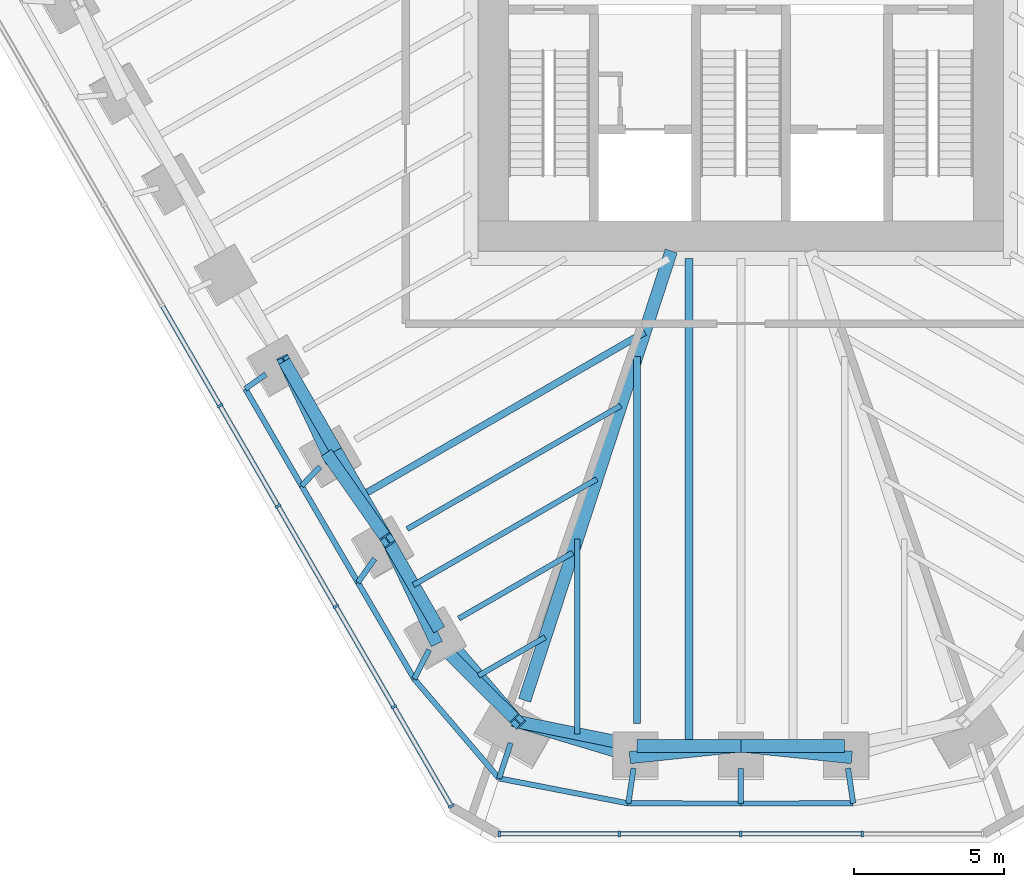
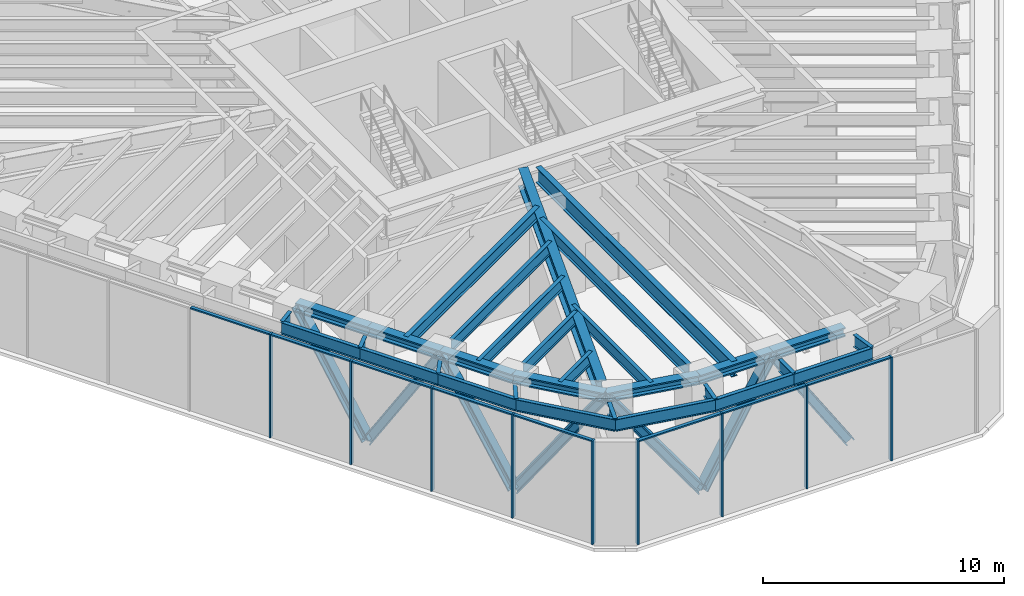
# One storey, part 2 of 13: 31 beams, 24 members, 2 elements without a shape of their own.
"""IFC4 building model written with IfcOpenShell, lengths in metres."""

from ifc_helpers import new_model, si_unit, direction, frame, origin, origin_2d, place, context, subcontext, project, spatial, rectangle, i_section, extrude, material, material_profile, profile_set, type_object, element, aggregate, save


model = new_model("IFC4")

# Units and contexts
model_context = context("Model", 3, precision=1e-05, world=origin(), true_north=direction((0.0, 1.0)))
body_context = subcontext(model_context, "Body", "Model", "MODEL_VIEW")
ifc_project = project(units=[si_unit("LENGTHUNIT", "METRE"), si_unit("AREAUNIT", "SQUARE_METRE"), si_unit("VOLUMEUNIT", "CUBIC_METRE"), si_unit("PLANEANGLEUNIT", "RADIAN"), si_unit("MASSUNIT", "GRAM", prefix="KILO")], contexts=[model_context])

# Site, building, storey
site_placement = place(None, origin())
site = spatial("IfcSite", under=ifc_project, at=site_placement, CompositionType="ELEMENT")
building_placement = place(site_placement, origin())
building = spatial("IfcBuilding", under=site, at=building_placement, Name="Sandreach Pilgrim Tower", CompositionType="ELEMENT")
storey_placement = place(building_placement, frame((0.0, 0.0, 251.60009765625)))
storey = spatial("IfcBuildingStorey", under=building, at=storey_placement, Name="L63", CompositionType="ELEMENT", Elevation=251.60009765625)

# Beams
ifc_material_1 = material(Name="Steel ASTM A913 Grade 65", Category="steel")
ifc_material_profile_1 = material_profile(ifc_material_1, i_section(OverallWidth=0.419189453125, OverallDepth=0.45458984375, WebThickness=0.042236328125, FlangeThickness=0.067626953125, at=origin_2d()), Name="W14X370")
ifc_profile_set_1 = profile_set([ifc_material_profile_1], Name="Steel ASTM A913 Grade 65")
beam_type_1 = type_object("IfcBeamType", Name="Belt truss chord W14X370", PredefinedType="BEAM", material=ifc_profile_set_1)
for number, where, z_axis, x_axis, name in (
    (1, (3.465576171875, -23.59814453125, 5.012451171875), (-1.0, 0.0, 0.0), (0.0, -1.0, 0.0), "BM L63 BTT23"),
    (2, (0.0, -23.59814453125, 5.012451171875), (-1.0, 0.0, 0.0), (0.0, -1.0, 0.0), "BM L63 BTT24"),
):
    element("IfcBeam", number, at=place(storey_placement, frame(where, z_axis=z_axis, x_axis=x_axis)), inside=storey, type_object=beam_type_1, Name=name, PredefinedType="BEAM", context=body_context, shape_type="SweptSolid", body=[
        extrude(i_section(OverallWidth=0.419189453125, OverallDepth=0.45458984375, WebThickness=0.042236328125, FlangeThickness=0.067626953125, at=origin_2d()), origin(), (0.0, 0.0, 1.0), 3.465576171875),
    ])
beam_1_placement = place(storey_placement, frame((-3.465576171875, -23.59814453125, 5.012451171875), z_axis=(-0.979917524616, 0.199403222016, 0.0), x_axis=(-0.199403222016, -0.979917524616, 0.0)))
element("IfcBeam", 3, at=beam_1_placement, inside=storey, type_object=beam_type_1, Name="BM L63 BTT25", PredefinedType="BEAM", context=body_context, shape_type="SweptSolid", body=[
    extrude(i_section(OverallWidth=0.419189453125, OverallDepth=0.45458984375, WebThickness=0.042236328125, FlangeThickness=0.067626953125, at=origin_2d()), origin(), (0.0, 0.0, 1.0), 4.05517578125),
])
beam_2_placement = place(storey_placement, frame((-7.439208984375, -22.78955078125, 5.012451171875), z_axis=(-0.648586192707, 0.761141215958, 0.0), x_axis=(-0.761141215958, -0.648586192707, 0.0)))
element("IfcBeam", 4, at=beam_2_placement, inside=storey, type_object=beam_type_1, Name="BM L63 BTT26", PredefinedType="BEAM", context=body_context, shape_type="SweptSolid", body=[
    extrude(i_section(OverallWidth=0.419189453125, OverallDepth=0.45458984375, WebThickness=0.042236328125, FlangeThickness=0.067626953125, at=origin_2d()), origin(), (0.0, 0.0, 1.0), 4.02587890625),
])
for number, where, z_axis, x_axis, name in (
    (5, (-10.05029296875, -19.725341796875, 5.012451171875), (-0.499988291006, 0.866032163869, 0.0), (-0.866032163869, -0.499988291006, 0.0), "BM L63 BTT27"),
    (6, (-11.772705078125, -16.741943359375, 5.012451171875), (-0.499988291006, 0.866032163869, 0.0), (-0.866032163869, -0.499988291006, 0.0), "BM L63 BTT28"),
):
    element("IfcBeam", number, at=place(storey_placement, frame(where, z_axis=z_axis, x_axis=x_axis)), inside=storey, type_object=beam_type_1, Name=name, PredefinedType="BEAM", context=body_context, shape_type="SweptSolid", body=[
        extrude(i_section(OverallWidth=0.419189453125, OverallDepth=0.45458984375, WebThickness=0.042236328125, FlangeThickness=0.067626953125, at=origin_2d()), origin(), (0.0, 0.0, 1.0), 3.44482421875),
    ])
beam_3_placement = place(storey_placement, frame((-13.4951171875, -13.758544921875, 5.012451171875), z_axis=(-0.500010754882, 0.866019194361, 0.0), x_axis=(-0.866019194361, -0.500010754882, 0.0)))
element("IfcBeam", 7, at=beam_3_placement, inside=storey, type_object=beam_type_1, Name="BM L63 BTT29", PredefinedType="BEAM", context=body_context, shape_type="SweptSolid", body=[
    extrude(i_section(OverallWidth=0.419189453125, OverallDepth=0.45458984375, WebThickness=0.042236328125, FlangeThickness=0.067626953125, at=origin_2d()), origin(), (0.0, 0.0, 1.0), 3.4453125),
])

# Members
ifc_material_2 = material(Name="Steel ASTM A913 Grade 65", Category="steel")
ifc_material_profile_2 = material_profile(ifc_material_2, i_section(OverallWidth=0.411376953125, OverallDepth=0.434326171875, WebThickness=0.035888671875, FlangeThickness=0.057373046875, at=origin_2d()), Name="W14X311")
ifc_profile_set_2 = profile_set([ifc_material_profile_2], Name="Steel ASTM A913 Grade 65")
member_type_1 = type_object("IfcMemberType", Name="Belt truss diagonal W14X311", PredefinedType="BRACE", material=ifc_profile_set_2)
for number, where, z_axis, x_axis, name in (
    (8, (3.519775390625, -23.967041015625, -0.387451171875), (-0.545168864829, 0.057137417962, 0.836376843468), (-0.104235900725, -0.994552601424, 0.0), "Belt truss diagonal L63 bay 23"),
    (9, (0.0, -23.59814453125, 5.012451171875), (-0.545168864829, -0.057137417962, -0.836376843468), (0.104235900725, -0.994552601424, 0.0), "Belt truss diagonal L63 bay 24"),
):
    element("IfcMember", number, at=place(storey_placement, frame(where, z_axis=z_axis, x_axis=x_axis)), inside=storey, type_object=member_type_1, Name=name, PredefinedType="BRACE", context=body_context, shape_type="SweptSolid", body=[
        extrude(i_section(OverallWidth=0.411376953125, OverallDepth=0.434326171875, WebThickness=0.035888671875, FlangeThickness=0.057373046875, at=origin_2d()), origin(), (0.0, 0.0, 1.0), 6.456298828125),
    ])
member_1_placement = place(storey_placement, frame((-3.519775390625, -23.967041015625, -0.387451171875), z_axis=(-0.578471567436, 0.173786493693, 0.796974842939), x_axis=(-0.287720028636, -0.957714563491, 0.0)))
element("IfcMember", 10, at=member_1_placement, inside=storey, type_object=member_type_1, Name="Belt truss diagonal L63 bay 25", PredefinedType="BRACE", context=body_context, shape_type="SweptSolid", body=[
    extrude(i_section(OverallWidth=0.411376953125, OverallDepth=0.434326171875, WebThickness=0.035888671875, FlangeThickness=0.057373046875, at=origin_2d()), origin(), (0.0, 0.0, 1.0), 6.775390625),
])
member_2_placement = place(storey_placement, frame((-7.439208984375, -22.78955078125, 5.012451171875), z_axis=(-0.415815148003, 0.412774117315, -0.81037972011), x_axis=(-0.704506862274, -0.709697175568, 0.0)))
element("IfcMember", 11, at=member_2_placement, inside=storey, type_object=member_type_1, Name="Belt truss diagonal L63 bay 26", PredefinedType="BRACE", context=body_context, shape_type="SweptSolid", body=[
    extrude(i_section(OverallWidth=0.411376953125, OverallDepth=0.434326171875, WebThickness=0.035888671875, FlangeThickness=0.057373046875, at=origin_2d()), origin(), (0.0, 0.0, 1.0), 6.663330078125),
])
member_3_placement = place(storey_placement, frame((-10.2099609375, -20.0390625, -0.387451171875), z_axis=(-0.239792703869, 0.505921022614, 0.828579132038), x_axis=(-0.903636992743, -0.428299177382, 0.0)))
element("IfcMember", 12, at=member_3_placement, inside=storey, type_object=member_type_1, Name="Belt truss diagonal L63 bay 27", PredefinedType="BRACE", context=body_context, shape_type="SweptSolid", body=[
    extrude(i_section(OverallWidth=0.411376953125, OverallDepth=0.434326171875, WebThickness=0.035888671875, FlangeThickness=0.057373046875, at=origin_2d()), origin(), (0.0, 0.0, 1.0), 6.51708984375),
])
member_4_placement = place(storey_placement, frame((-11.772705078125, -16.741943359375, 5.012451171875), z_axis=(-0.30416334983, 0.434163087575, -0.847931052626), x_axis=(-0.81901102032, -0.573777786774, 0.0)))
element("IfcMember", 13, at=member_4_placement, inside=storey, type_object=member_type_1, Name="Belt truss diagonal L63 bay 28", PredefinedType="BRACE", context=body_context, shape_type="SweptSolid", body=[
    extrude(i_section(OverallWidth=0.411376953125, OverallDepth=0.434326171875, WebThickness=0.035888671875, FlangeThickness=0.057373046875, at=origin_2d()), origin(), (0.0, 0.0, 1.0), 6.368408203125),
])
member_5_placement = place(storey_placement, frame((-13.709716796875, -13.97705078125, -0.387451171875), z_axis=(-0.233570328749, 0.495954092906, 0.836345884941), x_axis=(-0.904692042966, -0.426066083364, 0.0)))
element("IfcMember", 14, at=member_5_placement, inside=storey, type_object=member_type_1, Name="Belt truss diagonal L63 bay 29", PredefinedType="BRACE", context=body_context, shape_type="SweptSolid", body=[
    extrude(i_section(OverallWidth=0.411376953125, OverallDepth=0.434326171875, WebThickness=0.035888671875, FlangeThickness=0.057373046875, at=origin_2d()), origin(), (0.0, 0.0, 1.0), 6.45654296875),
])

# Curtain wall, members
ifc_material_3 = material(Name="Aluminium framed curtain wall", Category="aluminium")
curtain_wall_type = type_object("IfcCurtainWallType", Name="Plant storey louvred curtain wall", PredefinedType="NOTDEFINED", material=ifc_material_3)
curtain_wall_1_placement = place(storey_placement, origin())
curtain_wall_1 = element("IfcCurtainWall", 15, at=curtain_wall_1_placement, inside=storey, type_object=curtain_wall_type, Name="CW-L L63 S", PredefinedType="NOTDEFINED")
ifc_material_4 = material(Name="Aluminium extrusion", Category="aluminium")
ifc_material_profile_3 = material_profile(ifc_material_4, rectangle(XDim=0.080078125, YDim=0.199951171875, at=origin_2d()), Name="CW-LM 80X200")
ifc_profile_set_3 = profile_set([ifc_material_profile_3], Name="Aluminium extrusion")
member_type_2 = type_object("IfcMemberType", Name="CW-L mullion", PredefinedType="MULLION", material=ifc_profile_set_3)
member_6_placement = place(storey_placement, frame((4.048583984375, -26.525146484375, 0.0), z_axis=(0.0, 0.0, 1.0), x_axis=(-1.0, 0.0, 0.0)))
member_6 = element("IfcMember", 16, at=member_6_placement, type_object=member_type_2, Name="CW-L mullion 2", PredefinedType="MULLION", context=body_context, shape_type="SweptSolid", body=[
    extrude(rectangle(XDim=0.080078125, YDim=0.199951171875, at=origin_2d()), origin(), (0.0, 0.0, 1.0), 5.239990234375),
])
member_7_placement = place(storey_placement, frame((0.0, -26.525146484375, 0.0), z_axis=(0.0, 0.0, 1.0), x_axis=(-1.0, 0.0, 0.0)))
member_7 = element("IfcMember", 17, at=member_7_placement, type_object=member_type_2, Name="CW-L mullion 3", PredefinedType="MULLION", context=body_context, shape_type="SweptSolid", body=[
    extrude(rectangle(XDim=0.080078125, YDim=0.199951171875, at=origin_2d()), origin(), (0.0, 0.0, 1.0), 5.239990234375),
])
member_8_placement = place(storey_placement, frame((-4.048583984375, -26.525146484375, 0.0), z_axis=(0.0, 0.0, 1.0), x_axis=(-1.0, 0.0, 0.0)))
member_8 = element("IfcMember", 18, at=member_8_placement, type_object=member_type_2, Name="CW-L mullion 4", PredefinedType="MULLION", context=body_context, shape_type="SweptSolid", body=[
    extrude(rectangle(XDim=0.080078125, YDim=0.199951171875, at=origin_2d()), origin(), (0.0, 0.0, 1.0), 5.239990234375),
])
member_9_placement = place(storey_placement, frame((-8.057373046875, -26.525146484375, 0.0), z_axis=(0.0, 0.0, 1.0), x_axis=(-1.0, 0.0, 0.0)))
member_9 = element("IfcMember", 19, at=member_9_placement, type_object=member_type_2, Name="CW-L mullion 5", PredefinedType="MULLION", context=body_context, shape_type="SweptSolid", body=[
    extrude(rectangle(XDim=0.080078125, YDim=0.199951171875, at=origin_2d()), origin(), (0.0, 0.0, 1.0), 5.239990234375),
])

curtain_wall_2_placement = place(storey_placement, origin())
curtain_wall_2 = element("IfcCurtainWall", 20, at=curtain_wall_2_placement, inside=storey, type_object=curtain_wall_type, Name="CW-L L63 SW", PredefinedType="NOTDEFINED")
member_10_placement = place(storey_placement, frame((-9.650146484375, -25.60546875, 0.0), z_axis=(0.0, 0.0, 1.0), x_axis=(-0.5, 0.866025403784, 0.0)))
member_10 = element("IfcMember", 21, at=member_10_placement, type_object=member_type_2, Name="CW-L mullion 1", PredefinedType="MULLION", context=body_context, shape_type="SweptSolid", body=[
    extrude(rectangle(XDim=0.080078125, YDim=0.199951171875, at=origin_2d()), origin(), (0.0, 0.0, 1.0), 5.239990234375),
])
member_11_placement = place(storey_placement, frame((-11.5625, -22.29345703125, 0.0), z_axis=(0.0, 0.0, 1.0), x_axis=(-0.5, 0.866025403784, 0.0)))
member_11 = element("IfcMember", 22, at=member_11_placement, type_object=member_type_2, Name="CW-L mullion 2", PredefinedType="MULLION", context=body_context, shape_type="SweptSolid", body=[
    extrude(rectangle(XDim=0.080078125, YDim=0.199951171875, at=origin_2d()), origin(), (0.0, 0.0, 1.0), 5.239990234375),
])
member_12_placement = place(storey_placement, frame((-13.49462890625, -18.94677734375, 0.0), z_axis=(0.0, 0.0, 1.0), x_axis=(-0.5, 0.866025403784, 0.0)))
member_12 = element("IfcMember", 23, at=member_12_placement, type_object=member_type_2, Name="CW-L mullion 3", PredefinedType="MULLION", context=body_context, shape_type="SweptSolid", body=[
    extrude(rectangle(XDim=0.080078125, YDim=0.199951171875, at=origin_2d()), origin(), (0.0, 0.0, 1.0), 5.239990234375),
])
member_13_placement = place(storey_placement, frame((-15.4267578125, -15.60009765625, 0.0), z_axis=(0.0, 0.0, 1.0), x_axis=(-0.5, 0.866025403784, 0.0)))
member_13 = element("IfcMember", 24, at=member_13_placement, type_object=member_type_2, Name="CW-L mullion 4", PredefinedType="MULLION", context=body_context, shape_type="SweptSolid", body=[
    extrude(rectangle(XDim=0.080078125, YDim=0.199951171875, at=origin_2d()), origin(), (0.0, 0.0, 1.0), 5.239990234375),
])
member_14_placement = place(storey_placement, frame((-17.359130859375, -12.25341796875, 0.0), z_axis=(0.0, 0.0, 1.0), x_axis=(-0.5, 0.866025403784, 0.0)))
member_14 = element("IfcMember", 25, at=member_14_placement, type_object=member_type_2, Name="CW-L mullion 5", PredefinedType="MULLION", context=body_context, shape_type="SweptSolid", body=[
    extrude(rectangle(XDim=0.080078125, YDim=0.199951171875, at=origin_2d()), origin(), (0.0, 0.0, 1.0), 5.239990234375),
])

# Member
ifc_material_5 = material(Name="Aluminium extrusion", Category="aluminium")
ifc_material_profile_4 = material_profile(ifc_material_5, rectangle(XDim=0.159912109375, YDim=0.070068359375, at=origin_2d()), Name="CW-LT 160X70")
ifc_profile_set_4 = profile_set([ifc_material_profile_4], Name="Aluminium extrusion")
member_type_3 = type_object("IfcMemberType", Name="CW-L transom", PredefinedType="USERDEFINED", material=ifc_profile_set_4)
member_15_placement = place(storey_placement, frame((4.0087890625, -26.525146484375, 5.204833984375), z_axis=(-1.0, 0.0, 0.0), x_axis=(0.0, -1.0, 0.0)))
member_15 = element("IfcMember", 26, at=member_15_placement, type_object=member_type_3, Name="CW-L head transom 2", ObjectType="TRANSOM", PredefinedType="USERDEFINED", context=body_context, shape_type="SweptSolid", body=[
    extrude(rectangle(XDim=0.159912109375, YDim=0.070068359375, at=origin_2d()), origin(), (0.0, 0.0, 1.0), 3.96875),
])

member_16_placement = place(storey_placement, frame((-0.0400390625, -26.525146484375, 5.204833984375), z_axis=(-1.0, 0.0, 0.0), x_axis=(0.0, -1.0, 0.0)))
member_16 = element("IfcMember", 27, at=member_16_placement, type_object=member_type_3, Name="CW-L head transom 3", ObjectType="TRANSOM", PredefinedType="USERDEFINED", context=body_context, shape_type="SweptSolid", body=[
    extrude(rectangle(XDim=0.159912109375, YDim=0.070068359375, at=origin_2d()), origin(), (0.0, 0.0, 1.0), 3.96875),
])

member_17_placement = place(storey_placement, frame((-4.088623046875, -26.525146484375, 5.204833984375), z_axis=(-1.0, 0.0, 0.0), x_axis=(0.0, -1.0, 0.0)))
member_17 = element("IfcMember", 28, at=member_17_placement, type_object=member_type_3, Name="CW-L head transom 4", ObjectType="TRANSOM", PredefinedType="USERDEFINED", context=body_context, shape_type="SweptSolid", body=[
    extrude(rectangle(XDim=0.159912109375, YDim=0.070068359375, at=origin_2d()), origin(), (0.0, 0.0, 1.0), 3.9287109375),
])

aggregate(curtain_wall_1, [member_6, member_7, member_8, member_9, member_15, member_16, member_17])

member_18_placement = place(storey_placement, frame((-9.670166015625, -25.57080078125, 5.204833984375), z_axis=(-0.500030989569, 0.866007511209, 0.0), x_axis=(-0.866007511209, -0.500030989569, 0.0)))
member_18 = element("IfcMember", 29, at=member_18_placement, type_object=member_type_3, Name="CW-L head transom 1", ObjectType="TRANSOM", PredefinedType="USERDEFINED", context=body_context, shape_type="SweptSolid", body=[
    extrude(rectangle(XDim=0.159912109375, YDim=0.070068359375, at=origin_2d()), origin(), (0.0, 0.0, 1.0), 3.744384765625),
])

member_19_placement = place(storey_placement, frame((-11.58251953125, -22.2587890625, 5.204833984375), z_axis=(-0.499983064336, 0.866035181374, 0.0), x_axis=(-0.866035181374, -0.499983064336, 0.0)))
member_19 = element("IfcMember", 30, at=member_19_placement, type_object=member_type_3, Name="CW-L head transom 2", ObjectType="TRANSOM", PredefinedType="USERDEFINED", context=body_context, shape_type="SweptSolid", body=[
    extrude(rectangle(XDim=0.159912109375, YDim=0.070068359375, at=origin_2d()), origin(), (0.0, 0.0, 1.0), 3.784423828125),
])

member_20_placement = place(storey_placement, frame((-13.5146484375, -18.912109375, 5.204833984375), z_axis=(-0.500031448545, 0.866007246197, 0.0), x_axis=(-0.866007246197, -0.500031448545, 0.0)))
member_20 = element("IfcMember", 31, at=member_20_placement, type_object=member_type_3, Name="CW-L head transom 3", ObjectType="TRANSOM", PredefinedType="USERDEFINED", context=body_context, shape_type="SweptSolid", body=[
    extrude(rectangle(XDim=0.159912109375, YDim=0.070068359375, at=origin_2d()), origin(), (0.0, 0.0, 1.0), 3.784423828125),
])

member_21_placement = place(storey_placement, frame((-15.44677734375, -15.5654296875, 5.204833984375), z_axis=(-0.500031448545, 0.866007246197, 0.0), x_axis=(-0.866007246197, -0.500031448545, 0.0)))
member_21 = element("IfcMember", 32, at=member_21_placement, type_object=member_type_3, Name="CW-L head transom 4", ObjectType="TRANSOM", PredefinedType="USERDEFINED", context=body_context, shape_type="SweptSolid", body=[
    extrude(rectangle(XDim=0.159912109375, YDim=0.070068359375, at=origin_2d()), origin(), (0.0, 0.0, 1.0), 3.784423828125),
])

member_22_placement = place(storey_placement, frame((-17.379150390625, -12.21875, 5.204833984375), z_axis=(-0.499983064336, 0.866035181374, 0.0), x_axis=(-0.866035181374, -0.499983064336, 0.0)))
member_22 = element("IfcMember", 33, at=member_22_placement, type_object=member_type_3, Name="CW-L head transom 5", ObjectType="TRANSOM", PredefinedType="USERDEFINED", context=body_context, shape_type="SweptSolid", body=[
    extrude(rectangle(XDim=0.159912109375, YDim=0.070068359375, at=origin_2d()), origin(), (0.0, 0.0, 1.0), 3.784423828125),
])

aggregate(curtain_wall_2, [member_10, member_11, member_12, member_13, member_14, member_18, member_19, member_20, member_21, member_22])

# Beams
ifc_material_6 = material(Name="Steel ASTM A992 Grade 50", Category="steel")
ifc_material_profile_5 = material_profile(ifc_material_6, i_section(OverallWidth=0.421630859375, OverallDepth=0.937255859375, WebThickness=0.0224609375, FlangeThickness=0.039794921875, at=origin_2d()), Name="W36X282")
ifc_profile_set_5 = profile_set([ifc_material_profile_5], Name="Steel ASTM A992 Grade 50")
beam_type_2 = type_object("IfcBeamType", Name="Corner girder W36X282", PredefinedType="BEAM", material=ifc_profile_set_5)
beam_4_placement = place(storey_placement, frame((-7.206298828125, -22.076416015625, 4.771240234375), z_axis=(0.310312612616, 0.950634568302, 0.0), x_axis=(-0.950634568302, 0.310312612616, 0.0)))
element("IfcBeam", 34, at=beam_4_placement, inside=storey, type_object=beam_type_2, Name="BM L63 CG26", PredefinedType="BEAM", context=body_context, shape_type="SweptSolid", body=[
    extrude(i_section(OverallWidth=0.421630859375, OverallDepth=0.937255859375, WebThickness=0.0224609375, FlangeThickness=0.039794921875, at=origin_2d()), origin(), (0.0, 0.0, 1.0), 15.75390625),
])
ifc_material_7 = material(Name="Steel ASTM A992 Grade 50", Category="steel")
ifc_material_profile_6 = material_profile(ifc_material_7, i_section(OverallWidth=0.1787109375, OverallDepth=0.60205078125, WebThickness=0.010986328125, FlangeThickness=0.014892578125, at=origin_2d()), Name="W24X62")
ifc_profile_set_6 = profile_set([ifc_material_profile_6], Name="Steel ASTM A992 Grade 50")
beam_type_3 = type_object("IfcBeamType", Name="Floor beam W24X62", PredefinedType="BEAM", material=ifc_profile_set_6)
beam_5_placement = place(storey_placement, frame((-9.400634765625, -19.350341796875, 4.93896484375), z_axis=(0.866026229868, 0.499998569178, 0.0), x_axis=(-0.499998569178, 0.866026229868, 0.0)))
element("IfcBeam", 35, at=beam_5_placement, inside=storey, type_object=beam_type_3, Name="BM L63 F27", PredefinedType="BEAM", context=body_context, shape_type="SweptSolid", body=[
    extrude(i_section(OverallWidth=0.1787109375, OverallDepth=0.60205078125, WebThickness=0.010986328125, FlangeThickness=0.014892578125, at=origin_2d()), origin(), (0.0, 0.0, 1.0), 4.38818359375),
])
beam_6_placement = place(storey_placement, frame((-11.123291015625, -16.366943359375, 4.93896484375), z_axis=(0.866022466269, 0.500005087891, 0.0), x_axis=(-0.500005087891, 0.866022466269, 0.0)))
element("IfcBeam", 36, at=beam_6_placement, inside=storey, type_object=beam_type_3, Name="BM L63 F28", PredefinedType="BEAM", context=body_context, shape_type="SweptSolid", body=[
    extrude(i_section(OverallWidth=0.1787109375, OverallDepth=0.60205078125, WebThickness=0.010986328125, FlangeThickness=0.014892578125, at=origin_2d()), origin(), (0.0, 0.0, 1.0), 8.22509765625),
])
beam_7_placement = place(storey_placement, frame((-5.452392578125, -23.19384765625, 4.93896484375), z_axis=(0.0, 1.0, 0.0), x_axis=(-1.0, 0.0, 0.0)))
element("IfcBeam", 37, at=beam_7_placement, inside=storey, type_object=beam_type_3, Name="BM L63 FM25", PredefinedType="BEAM", context=body_context, shape_type="SweptSolid", body=[
    extrude(i_section(OverallWidth=0.1787109375, OverallDepth=0.60205078125, WebThickness=0.010986328125, FlangeThickness=0.014892578125, at=origin_2d()), origin(), (0.0, 0.0, 1.0), 6.49072265625),
])
beam_8_placement = place(storey_placement, frame((-8.74462890625, -21.25732421875, 4.93896484375), z_axis=(0.866041575714, 0.49997198835, 0.0), x_axis=(-0.49997198835, 0.866041575714, 0.0)))
element("IfcBeam", 38, at=beam_8_placement, inside=storey, type_object=beam_type_3, Name="BM L63 FM26", PredefinedType="BEAM", context=body_context, shape_type="SweptSolid", body=[
    extrude(i_section(OverallWidth=0.1787109375, OverallDepth=0.60205078125, WebThickness=0.010986328125, FlangeThickness=0.014892578125, at=origin_2d()), origin(), (0.0, 0.0, 1.0), 2.569091796875),
])
beam_9_placement = place(storey_placement, frame((-10.911376953125, -18.233642578125, 4.93896484375), z_axis=(0.866020229007, 0.50000896287, 0.0), x_axis=(-0.50000896287, 0.866020229007, 0.0)))
element("IfcBeam", 39, at=beam_9_placement, inside=storey, type_object=beam_type_3, Name="BM L63 FM27", PredefinedType="BEAM", context=body_context, shape_type="SweptSolid", body=[
    extrude(i_section(OverallWidth=0.1787109375, OverallDepth=0.60205078125, WebThickness=0.010986328125, FlangeThickness=0.014892578125, at=origin_2d()), origin(), (0.0, 0.0, 1.0), 7.056396484375),
])
ifc_material_8 = material(Name="Steel ASTM A992 Grade 50", Category="steel")
ifc_material_profile_7 = material_profile(ifc_material_8, i_section(OverallWidth=0.23046875, OverallDepth=0.6171875, WebThickness=0.01318359375, FlangeThickness=0.022216796875, at=origin_2d()), Name="W24X94")
ifc_profile_set_7 = profile_set([ifc_material_profile_7], Name="Steel ASTM A992 Grade 50")
beam_type_4 = type_object("IfcBeamType", Name="Floor beam W24X94", PredefinedType="BEAM", material=ifc_profile_set_7)
beam_10_placement = place(storey_placement, frame((-3.465576171875, -22.84814453125, 4.931396484375), z_axis=(0.0, 1.0, 0.0), x_axis=(-1.0, 0.0, 0.0)))
element("IfcBeam", 40, at=beam_10_placement, inside=storey, type_object=beam_type_4, Name="BM L63 F25", PredefinedType="BEAM", context=body_context, shape_type="SweptSolid", body=[
    extrude(i_section(OverallWidth=0.23046875, OverallDepth=0.6171875, WebThickness=0.01318359375, FlangeThickness=0.022216796875, at=origin_2d()), origin(), (0.0, 0.0, 1.0), 12.2314453125),
])
beam_11_placement = place(storey_placement, frame((-12.634033203125, -15.250244140625, 4.931396484375), z_axis=(0.866019500887, 0.500010223979, 0.0), x_axis=(-0.500010223979, 0.866019500887, 0.0)))
element("IfcBeam", 41, at=beam_11_placement, inside=storey, type_object=beam_type_4, Name="BM L63 FM28", PredefinedType="BEAM", context=body_context, shape_type="SweptSolid", body=[
    extrude(i_section(OverallWidth=0.23046875, OverallDepth=0.6171875, WebThickness=0.01318359375, FlangeThickness=0.022216796875, at=origin_2d()), origin(), (0.0, 0.0, 1.0), 10.893310546875),
])
ifc_material_9 = material(Name="Steel ASTM A992 Grade 50", Category="steel")
ifc_material_profile_8 = material_profile(ifc_material_9, i_section(OverallWidth=0.2666015625, OverallDepth=0.77978515625, WebThickness=0.0166015625, FlangeThickness=0.030029296875, at=origin_2d()), Name="W30X148")
ifc_profile_set_8 = profile_set([ifc_material_profile_8], Name="Steel ASTM A992 Grade 50")
beam_type_5 = type_object("IfcBeamType", Name="Floor beam W30X148", PredefinedType="BEAM", material=ifc_profile_set_8)
beam_12_placement = place(storey_placement, frame((-1.732666015625, -23.59814453125, 4.85009765625), z_axis=(0.0, 1.0, 0.0), x_axis=(-1.0, 0.0, 0.0)))
element("IfcBeam", 42, at=beam_12_placement, inside=storey, type_object=beam_type_5, Name="BM L63 FM24", PredefinedType="BEAM", context=body_context, shape_type="SweptSolid", body=[
    extrude(i_section(OverallWidth=0.2666015625, OverallDepth=0.77978515625, WebThickness=0.0166015625, FlangeThickness=0.030029296875, at=origin_2d()), origin(), (0.0, 0.0, 1.0), 16.251953125),
])
ifc_material_10 = material(Name="Steel ASTM A992 Grade 50", Category="steel")
ifc_material_profile_9 = material_profile(ifc_material_10, i_section(OverallWidth=0.1787109375, OverallDepth=0.60205078125, WebThickness=0.010986328125, FlangeThickness=0.014892578125, at=origin_2d()), Name="W24X62")
ifc_profile_set_9 = profile_set([ifc_material_profile_9], Name="Steel ASTM A992 Grade 50")
beam_type_6 = type_object("IfcBeamType", Name="Setback roof edge beam W24X62", PredefinedType="BEAM", material=ifc_profile_set_9)
for number, where, z_axis, x_axis, name in (
    (43, (3.746826171875, -25.512451171875, 4.89892578125), (-0.999999743133, -0.000716752276, 0.0), (0.000716752276, -0.999999743133, 0.0), "BM L63 RE23"),
    (44, (0.0, -25.51513671875, 4.89892578125), (-0.999999743133, 0.000716752276, 0.0), (-0.000716752276, -0.999999743133, 0.0), "BM L63 RE24"),
):
    element("IfcBeam", number, at=place(storey_placement, frame(where, z_axis=z_axis, x_axis=x_axis)), inside=storey, type_object=beam_type_6, Name=name, PredefinedType="BEAM", context=body_context, shape_type="SweptSolid", body=[
        extrude(i_section(OverallWidth=0.1787109375, OverallDepth=0.60205078125, WebThickness=0.010986328125, FlangeThickness=0.014892578125, at=origin_2d()), origin(), (0.0, 0.0, 1.0), 3.746826171875),
    ])
beam_13_placement = place(storey_placement, frame((-3.746826171875, -25.512451171875, 4.89892578125), z_axis=(-0.98182467975, 0.189790142616, 0.0), x_axis=(-0.189790142616, -0.98182467975, 0.0)))
element("IfcBeam", 45, at=beam_13_placement, inside=storey, type_object=beam_type_6, Name="BM L63 RE25", PredefinedType="BEAM", context=body_context, shape_type="SweptSolid", body=[
    extrude(i_section(OverallWidth=0.1787109375, OverallDepth=0.60205078125, WebThickness=0.010986328125, FlangeThickness=0.014892578125, at=origin_2d()), origin(), (0.0, 0.0, 1.0), 4.38916015625),
])
beam_14_placement = place(storey_placement, frame((-8.05615234375, -24.679443359375, 4.89892578125), z_axis=(-0.649286091284, 0.760544260162, 0.0), x_axis=(-0.760544260162, -0.649286091284, 0.0)))
element("IfcBeam", 46, at=beam_14_placement, inside=storey, type_object=beam_type_6, Name="BM L63 RE26", PredefinedType="BEAM", context=body_context, shape_type="SweptSolid", body=[
    extrude(i_section(OverallWidth=0.1787109375, OverallDepth=0.60205078125, WebThickness=0.010986328125, FlangeThickness=0.014892578125, at=origin_2d()), origin(), (0.0, 0.0, 1.0), 4.35791015625),
])
beam_15_placement = place(storey_placement, frame((-10.8857421875, -21.364990234375, 4.89892578125), z_axis=(-0.503956635321, 0.863728956164, 0.0), x_axis=(-0.863728956164, -0.503956635321, 0.0)))
element("IfcBeam", 47, at=beam_15_placement, inside=storey, type_object=beam_type_6, Name="BM L63 RE27", PredefinedType="BEAM", context=body_context, shape_type="SweptSolid", body=[
    extrude(i_section(OverallWidth=0.1787109375, OverallDepth=0.60205078125, WebThickness=0.010986328125, FlangeThickness=0.014892578125, at=origin_2d()), origin(), (0.0, 0.0, 1.0), 3.723388671875),
])
beam_16_placement = place(storey_placement, frame((-12.76220703125, -18.14892578125, 4.89892578125), z_axis=(-0.50326867746, 0.864129989231, 0.0), x_axis=(-0.864129989231, -0.50326867746, 0.0)))
element("IfcBeam", 48, at=beam_16_placement, inside=storey, type_object=beam_type_6, Name="BM L63 RE28", PredefinedType="BEAM", context=body_context, shape_type="SweptSolid", body=[
    extrude(i_section(OverallWidth=0.1787109375, OverallDepth=0.60205078125, WebThickness=0.010986328125, FlangeThickness=0.014892578125, at=origin_2d()), origin(), (0.0, 0.0, 1.0), 3.73046875),
])
beam_17_placement = place(storey_placement, frame((-14.6396484375, -14.92529296875, 4.89892578125), z_axis=(-0.501862800728, 0.864947240729, 0.0), x_axis=(-0.864947240729, -0.501862800728, 0.0)))
element("IfcBeam", 49, at=beam_17_placement, inside=storey, type_object=beam_type_6, Name="BM L63 RE29", PredefinedType="BEAM", context=body_context, shape_type="SweptSolid", body=[
    extrude(i_section(OverallWidth=0.1787109375, OverallDepth=0.60205078125, WebThickness=0.010986328125, FlangeThickness=0.014892578125, at=origin_2d()), origin(), (0.0, 0.0, 1.0), 3.736572265625),
])
ifc_material_11 = material(Name="Steel ASTM A992 Grade 50", Category="steel")
ifc_material_profile_10 = material_profile(ifc_material_11, i_section(OverallWidth=0.1787109375, OverallDepth=0.60205078125, WebThickness=0.010986328125, FlangeThickness=0.014892578125, at=origin_2d()), Name="W24X62")
ifc_profile_set_10 = profile_set([ifc_material_profile_10], Name="Steel ASTM A992 Grade 50")
beam_type_7 = type_object("IfcBeamType", Name="Setback roof outlooker W24X62", PredefinedType="BEAM", material=ifc_profile_set_10)
beam_18_placement = place(storey_placement, frame((3.574462890625, -24.340087890625, 4.89892578125), z_axis=(0.145458401516, -0.989364368384, 0.0), x_axis=(0.989364368384, 0.145458401516, 0.0)))
element("IfcBeam", 50, at=beam_18_placement, inside=storey, type_object=beam_type_7, Name="BM L63 OL23", PredefinedType="BEAM", context=body_context, shape_type="SweptSolid", body=[
    extrude(i_section(OverallWidth=0.1787109375, OverallDepth=0.60205078125, WebThickness=0.010986328125, FlangeThickness=0.014892578125, at=origin_2d()), origin(), (0.0, 0.0, 1.0), 1.18505859375),
])
beam_19_placement = place(storey_placement, frame((0.0, -24.34814453125, 4.89892578125), z_axis=(0.0, -1.0, 0.0), x_axis=(1.0, 0.0, 0.0)))
element("IfcBeam", 51, at=beam_19_placement, inside=storey, type_object=beam_type_7, Name="BM L63 OL24", PredefinedType="BEAM", context=body_context, shape_type="SweptSolid", body=[
    extrude(i_section(OverallWidth=0.1787109375, OverallDepth=0.60205078125, WebThickness=0.010986328125, FlangeThickness=0.014892578125, at=origin_2d()), origin(), (0.0, 0.0, 1.0), 1.1669921875),
])
beam_20_placement = place(storey_placement, frame((-3.574462890625, -24.340087890625, 4.89892578125), z_axis=(-0.145458401516, -0.989364368384, 0.0), x_axis=(0.989364368384, -0.145458401516, 0.0)))
element("IfcBeam", 52, at=beam_20_placement, inside=storey, type_object=beam_type_7, Name="BM L63 OL25", PredefinedType="BEAM", context=body_context, shape_type="SweptSolid", body=[
    extrude(i_section(OverallWidth=0.1787109375, OverallDepth=0.60205078125, WebThickness=0.010986328125, FlangeThickness=0.014892578125, at=origin_2d()), origin(), (0.0, 0.0, 1.0), 1.18505859375),
])
beam_21_placement = place(storey_placement, frame((-7.671875, -23.50244140625, 4.89892578125), z_axis=(-0.310365417361, -0.950617329795, 0.0), x_axis=(0.950617329795, -0.310365417361, 0.0)))
element("IfcBeam", 53, at=beam_21_placement, inside=storey, type_object=beam_type_7, Name="BM L63 OL26", PredefinedType="BEAM", context=body_context, shape_type="SweptSolid", body=[
    extrude(i_section(OverallWidth=0.1787109375, OverallDepth=0.60205078125, WebThickness=0.010986328125, FlangeThickness=0.014892578125, at=origin_2d()), origin(), (0.0, 0.0, 1.0), 1.238037109375),
])
beam_22_placement = place(storey_placement, frame((-10.390625, -20.3935546875, 4.89892578125), z_axis=(-0.454096841041, -0.890952332595, 0.0), x_axis=(0.890952332595, -0.454096841041, 0.0)))
element("IfcBeam", 54, at=beam_22_placement, inside=storey, type_object=beam_type_7, Name="BM L63 OL27", PredefinedType="BEAM", context=body_context, shape_type="SweptSolid", body=[
    extrude(i_section(OverallWidth=0.1787109375, OverallDepth=0.60205078125, WebThickness=0.010986328125, FlangeThickness=0.014892578125, at=origin_2d()), origin(), (0.0, 0.0, 1.0), 1.09033203125),
])
beam_23_placement = place(storey_placement, frame((-12.2041015625, -17.35546875, 4.89892578125), z_axis=(-0.575318839925, -0.817929234364, 0.0), x_axis=(0.817929234364, -0.575318839925, 0.0)))
element("IfcBeam", 55, at=beam_23_placement, inside=storey, type_object=beam_type_7, Name="BM L63 OL28", PredefinedType="BEAM", context=body_context, shape_type="SweptSolid", body=[
    extrude(i_section(OverallWidth=0.1787109375, OverallDepth=0.60205078125, WebThickness=0.010986328125, FlangeThickness=0.014892578125, at=origin_2d()), origin(), (0.0, 0.0, 1.0), 0.969970703125),
])
beam_24_placement = place(storey_placement, frame((-14.0205078125, -14.2939453125, 4.89892578125), z_axis=(-0.70017077799, -0.713975406894, 0.0), x_axis=(0.713975406894, -0.70017077799, 0.0)))
element("IfcBeam", 56, at=beam_24_placement, inside=storey, type_object=beam_type_7, Name="BM L63 OL29", PredefinedType="BEAM", context=body_context, shape_type="SweptSolid", body=[
    extrude(i_section(OverallWidth=0.1787109375, OverallDepth=0.60205078125, WebThickness=0.010986328125, FlangeThickness=0.014892578125, at=origin_2d()), origin(), (0.0, 0.0, 1.0), 0.88427734375),
])
beam_25_placement = place(storey_placement, frame((-15.829833984375, -11.208251953125, 4.89892578125), z_axis=(-0.816104497041, -0.577904360521, 0.0), x_axis=(0.577904360521, -0.816104497041, 0.0)))
element("IfcBeam", 57, at=beam_25_placement, inside=storey, type_object=beam_type_7, Name="BM L63 OL30", PredefinedType="BEAM", context=body_context, shape_type="SweptSolid", body=[
    extrude(i_section(OverallWidth=0.1787109375, OverallDepth=0.60205078125, WebThickness=0.010986328125, FlangeThickness=0.014892578125, at=origin_2d()), origin(), (0.0, 0.0, 1.0), 0.83935546875),
])

save(model, "model.ifc")
